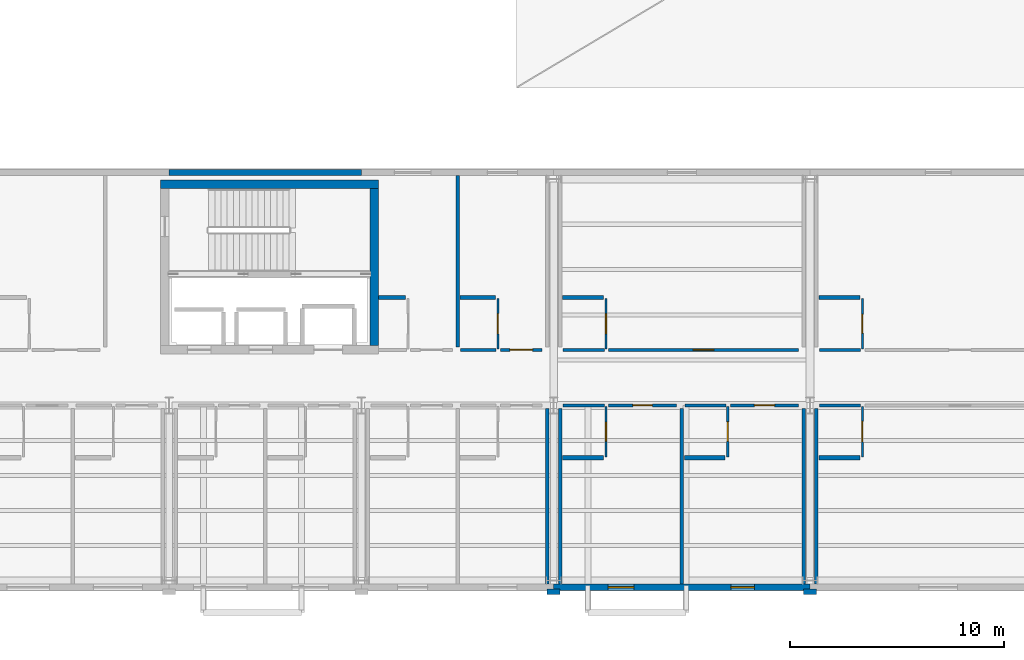
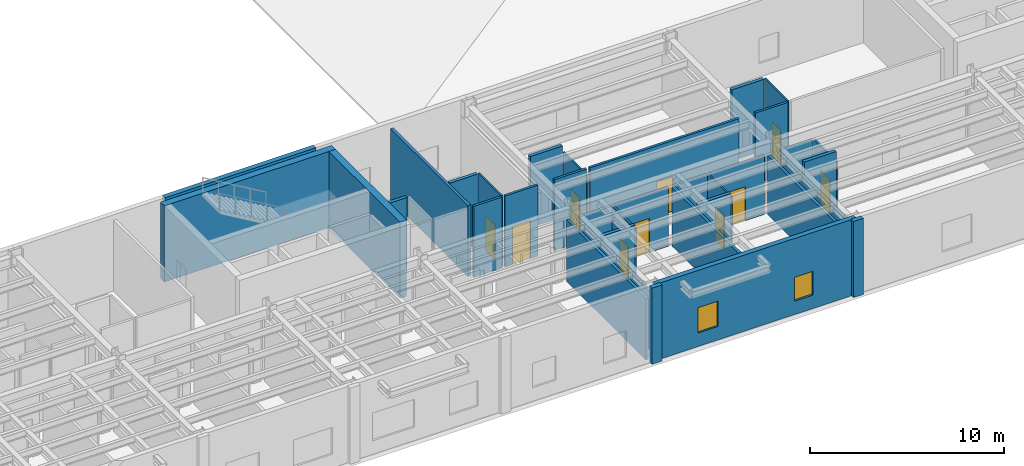
# One storey, part 72 of 91: 35 walls, 10 doors, 2 windows, 12 openings.
"""IFC4 building model written with IfcOpenShell, lengths in metres."""

from ifc_helpers import new_model, si_unit, direction, frame, frame_2d, origin, place, context, subcontext, project, spatial, rectangle, extrude, material, layer, layer_set, type_object, element, fill, save


model = new_model("IFC4")

# Units and contexts
model_context = context("Model", 3, precision=1e-05, world=origin(), true_north=direction((0.0, 1.0)))
body_context = subcontext(model_context, "Body", "Model", "MODEL_VIEW")
ifc_project = project(units=[si_unit("LENGTHUNIT", "METRE"), si_unit("AREAUNIT", "SQUARE_METRE"), si_unit("VOLUMEUNIT", "CUBIC_METRE"), si_unit("PLANEANGLEUNIT", "RADIAN"), si_unit("MASSUNIT", "GRAM", prefix="KILO")], contexts=[model_context])

# Site, building, storey
site_placement = place(None, origin())
site = spatial("IfcSite", under=ifc_project, at=site_placement, CompositionType="ELEMENT")
building_placement = place(site_placement, origin())
building = spatial("IfcBuilding", under=site, at=building_placement, Name="Sollismere Congress Hotel", CompositionType="ELEMENT")
storey_placement = place(building_placement, frame((0.0, 0.0, 10.800048828125)))
storey = spatial("IfcBuildingStorey", under=building, at=storey_placement, Name="L02", CompositionType="ELEMENT", Elevation=10.800048828125)

# Wall, openings, windows
ifc_material_1 = material(Name="Colorado Buff Sandstone Rainscreen on Insulated Backup", Category="masonry")
ifc_layer_1 = layer(ifc_material_1, 0.284912109375, Name="Colorado Buff Sandstone Rainscreen on Insulated Backup")
ifc_layer_set_1 = layer_set([ifc_layer_1], Name="Colorado Buff Sandstone Rainscreen on Insulated Backup")
wall_type_1 = type_object("IfcWallType", Name="WL-EXT285", PredefinedType="STANDARD", material=ifc_layer_set_1)
wall_1_placement = place(storey_placement, frame((112.0, -0.31005859375, 0.0), z_axis=(0.0, 0.0, 1.0), x_axis=(1.0, 0.0, 0.0)))
wall_1 = element("IfcWall", 1, at=wall_1_placement, inside=storey, type_object=wall_type_1, Name="Exterior wall EW-L02-344", PredefinedType="STANDARD", context=body_context, shape_type="SweptSolid", body=[
    extrude(rectangle(XDim=12.0, YDim=0.284912109375, at=frame_2d((6.0, 0.0))), origin(), (0.0, 0.0, 1.0), 4.800048828125),
])
opening_1_placement = place(wall_1_placement, frame((2.550048828125, 0.0, 0.85009765625)))
opening_1 = element("IfcOpeningElement", 2, at=opening_1_placement, cuts=wall_1, Name="Opening W-L02-277", PredefinedType="OPENING", context=body_context, shape_type="SweptSolid", body=[
    extrude(rectangle(XDim=1.199951171875, YDim=1.60009765625, at=frame_2d((0.60009765625, 0.800048828125))), frame((0.0, 0.15234375, 0.0), z_axis=(0.0, -1.0, 0.0), x_axis=(1.0, 0.0, 0.0)), (0.0, 0.0, 1.0), 0.304931640625),
])
opening_2_placement = place(wall_1_placement, frame((8.300048828125, 0.0, 0.85009765625)))
opening_2 = element("IfcOpeningElement", 3, at=opening_2_placement, cuts=wall_1, Name="Opening W-L02-278", PredefinedType="OPENING", context=body_context, shape_type="SweptSolid", body=[
    extrude(rectangle(XDim=1.10009765625, YDim=1.5, at=frame_2d((0.550048828125, 0.75))), frame((0.0, 0.15234375, 0.0), z_axis=(0.0, -1.0, 0.0), x_axis=(1.0, 0.0, 0.0)), (0.0, 0.0, 1.0), 0.304931640625),
])
ifc_material_2 = material(Name="Thermally Broken Bronze Aluminum & Low-E Glass", Category="aluminium")
window_type_1 = type_object("IfcWindowType", Name="WN-P110x150", PartitioningType="SINGLE_PANEL", PredefinedType="WINDOW", material=ifc_material_2)
window_1_placement = place(opening_2_placement, origin())
window_1 = element("IfcWindow", 4, at=window_1_placement, inside=storey, type_object=window_type_1, Name="WIN-W-L02-278", OverallHeight=1.5, OverallWidth=1.10009765625, PartitioningType="SINGLE_PANEL", PredefinedType="WINDOW", context=body_context, shape_type="SweptSolid", body=[
    extrude(rectangle(XDim=1.10009765625, YDim=1.5, at=frame_2d((0.550048828125, 0.75))), frame((0.0, 0.030029296875, 0.0), z_axis=(0.0, -1.0, 0.0), x_axis=(1.0, 0.0, 0.0)), (0.0, 0.0, 1.0), 0.06005859375),
])
fill(opening_2, window_1)
window_type_2 = type_object("IfcWindowType", Name="WN-P120x160", PartitioningType="SINGLE_PANEL", PredefinedType="WINDOW", material=ifc_material_2)
window_2_placement = place(opening_1_placement, origin())
window_2 = element("IfcWindow", 5, at=window_2_placement, inside=storey, type_object=window_type_2, Name="WIN-W-L02-277", OverallHeight=1.60009765625, OverallWidth=1.199951171875, PartitioningType="SINGLE_PANEL", PredefinedType="WINDOW", context=body_context, shape_type="SweptSolid", body=[
    extrude(rectangle(XDim=1.199951171875, YDim=1.60009765625, at=frame_2d((0.60009765625, 0.800048828125))), frame((0.0, 0.030029296875, 0.0), z_axis=(0.0, -1.0, 0.0), x_axis=(1.0, 0.0, 0.0)), (0.0, 0.0, 1.0), 0.06005859375),
])
fill(opening_1, window_2)

# Walls
wall_2_placement = place(storey_placement, frame((103.0, 19.110107421875, 0.0), z_axis=(0.0, 0.0, 1.0), x_axis=(-1.0, 0.0, 0.0)))
element("IfcWall", 6, at=wall_2_placement, inside=storey, type_object=wall_type_1, Name="Exterior wall EW-L02-374", PredefinedType="STANDARD", context=body_context, shape_type="SweptSolid", body=[
    extrude(rectangle(XDim=9.0, YDim=0.284912109375, at=frame_2d((4.5, 0.0))), origin(), (0.0, 0.0, 1.0), 4.800048828125),
])
ifc_material_3 = material(Name="Carved Travertine Pilaster & Frieze Assembly", Category="masonry")
ifc_layer_2 = layer(ifc_material_3, 0.260009765625, Name="Carved Travertine Pilaster & Frieze Assembly")
ifc_layer_set_2 = layer_set([ifc_layer_2], Name="Carved Travertine Pilaster & Frieze Assembly")
wall_type_2 = type_object("IfcWallType", Name="WL-PIL280", PredefinedType="ELEMENTEDWALL", material=ifc_layer_set_2)
for number, where, z_axis, x_axis, name in (
    (7, (111.699951171875, -0.52001953125, 0.0), (0.0, 0.0, 1.0), (1.0, 0.0, 0.0), "Exterior wall EW-L02-345"),
    (8, (123.699951171875, -0.52001953125, 0.0), (0.0, 0.0, 1.0), (1.0, 0.0, 0.0), "Exterior wall EW-L02-347"),
):
    element("IfcWall", number, at=place(storey_placement, frame(where, z_axis=z_axis, x_axis=x_axis)), inside=storey, type_object=wall_type_2, Name=name, PredefinedType="ELEMENTEDWALL", context=body_context, shape_type="SweptSolid", body=[
        extrude(rectangle(XDim=0.60009765625, YDim=0.260009765625, at=frame_2d((0.300048828125, 0.0))), origin(), (0.0, 0.0, 1.0), 4.800048828125),
    ])
ifc_material_4 = material(Name="Moisture-Resistant Shaft Gypsum Assembly")
ifc_layer_3 = layer(ifc_material_4, 0.199951171875, Name="Moisture-Resistant Shaft Gypsum Assembly")
ifc_layer_set_3 = layer_set([ifc_layer_3], Name="Moisture-Resistant Shaft Gypsum Assembly")
wall_type_3 = type_object("IfcWallType", Name="WL-PLM200", PredefinedType="PLUMBINGWALL", material=ifc_layer_set_3)
wall_3_placement = place(storey_placement, frame((103.81201171875, 13.25, 0.0), z_axis=(0.0, 0.0, 1.0), x_axis=(1.0, 0.0, 0.0)))
element("IfcWall", 9, at=wall_3_placement, inside=storey, type_object=wall_type_3, Name="Interior wall IW-L02-1086", PredefinedType="PLUMBINGWALL", context=body_context, shape_type="SweptSolid", body=[
    extrude(rectangle(XDim=1.258056640625, YDim=0.199951171875, at=frame_2d((0.62890625, 0.0))), origin(), (0.0, 0.0, 1.0), 4.474853515625),
])
wall_4_placement = place(storey_placement, frame((107.6201171875, 13.25, 0.0), z_axis=(0.0, 0.0, 1.0), x_axis=(1.0, 0.0, 0.0)))
element("IfcWall", 10, at=wall_4_placement, inside=storey, type_object=wall_type_3, Name="Interior wall IW-L02-1091", PredefinedType="PLUMBINGWALL", context=body_context, shape_type="SweptSolid", body=[
    extrude(rectangle(XDim=1.64990234375, YDim=0.199951171875, at=frame_2d((0.824951171875, 0.0))), origin(), (0.0, 0.0, 1.0), 4.474853515625),
])
wall_5_placement = place(storey_placement, frame((112.419921875, 5.75, 0.0), z_axis=(0.0, 0.0, 1.0), x_axis=(1.0, 0.0, 0.0)))
element("IfcWall", 11, at=wall_5_placement, inside=storey, type_object=wall_type_3, Name="Interior wall IW-L02-1097", PredefinedType="PLUMBINGWALL", context=body_context, shape_type="SweptSolid", body=[
    extrude(rectangle(XDim=1.91015625, YDim=0.199951171875, at=frame_2d((0.955078125, 0.0))), origin(), (0.0, 0.0, 1.0), 4.02783203125),
])
wall_6_placement = place(storey_placement, frame((118.1201171875, 5.75, 0.0), z_axis=(0.0, 0.0, 1.0), x_axis=(1.0, 0.0, 0.0)))
element("IfcWall", 12, at=wall_6_placement, inside=storey, type_object=wall_type_3, Name="Interior wall IW-L02-1102", PredefinedType="PLUMBINGWALL", context=body_context, shape_type="SweptSolid", body=[
    extrude(rectangle(XDim=1.909912109375, YDim=0.199951171875, at=frame_2d((0.955078125, 0.0))), origin(), (0.0, 0.0, 1.0), 4.02783203125),
])
for number, where, z_axis, x_axis, name in (
    (13, (112.419921875, 13.25, 0.0), (0.0, 0.0, 1.0), (1.0, 0.0, 0.0), "Interior wall IW-L02-1108"),
    (14, (124.419921875, 5.75, 0.0), (0.0, 0.0, 1.0), (1.0, 0.0, 0.0), "Interior wall IW-L02-1114"),
    (15, (124.419921875, 13.25, 0.0), (0.0, 0.0, 1.0), (1.0, 0.0, 0.0), "Interior wall IW-L02-1120"),
):
    element("IfcWall", number, at=place(storey_placement, frame(where, z_axis=z_axis, x_axis=x_axis)), inside=storey, type_object=wall_type_3, Name=name, PredefinedType="PLUMBINGWALL", context=body_context, shape_type="SweptSolid", body=[
        extrude(rectangle(XDim=1.91015625, YDim=0.199951171875, at=frame_2d((0.955078125, 0.0))), origin(), (0.0, 0.0, 1.0), 4.474853515625),
    ])

# Wall, opening, door
ifc_material_5 = material(Name="Moisture-Resistant Gypsum Partition")
ifc_layer_4 = layer(ifc_material_5, 0.10009765625, Name="Moisture-Resistant Gypsum Partition")
ifc_layer_set_4 = layer_set([ifc_layer_4], Name="Moisture-Resistant Gypsum Partition")
wall_type_4 = type_object("IfcWallType", Name="WL-PRT100", PredefinedType="PARTITIONING", material=ifc_layer_set_4)
wall_7_placement = place(storey_placement, frame((109.389892578125, 10.840087890625, 0.0), z_axis=(0.0, 0.0, 1.0), x_axis=(0.0, 1.0, 0.0)))
wall_7 = element("IfcWall", 16, at=wall_7_placement, inside=storey, type_object=wall_type_4, Name="Interior wall IW-L02-1090", PredefinedType="PARTITIONING", context=body_context, shape_type="SweptSolid", body=[
    extrude(rectangle(XDim=2.369873046875, YDim=0.10009765625, at=frame_2d((1.18505859375, 0.0))), origin(), (0.0, 0.0, 1.0), 4.474853515625),
])
opening_3_placement = place(wall_7_placement, frame((0.7080078125, 0.0, 0.0)))
opening_3 = element("IfcOpeningElement", 17, at=opening_3_placement, cuts=wall_7, Name="Opening D-L02-0386", PredefinedType="OPENING", context=body_context, shape_type="SweptSolid", body=[
    extrude(rectangle(XDim=0.955078125, YDim=2.219970703125, at=frame_2d((0.4775390625, 1.10986328125))), frame((0.0, 0.06005859375, 0.0), z_axis=(0.0, -1.0, 0.0), x_axis=(1.0, 0.0, 0.0)), (0.0, 0.0, 1.0), 0.1201171875),
])
ifc_material_6 = material(Name="Moisture-Sealed Timber Bathroom Door", Category="wood")
door_type_1 = type_object("IfcDoorType", Name="DR-BT08", OperationType="NOTDEFINED", PredefinedType="DOOR", material=ifc_material_6)
door_1_placement = place(opening_3_placement, origin())
door_1 = element("IfcDoor", 18, at=door_1_placement, inside=storey, type_object=door_type_1, Name="En-suite bathroom door D-L02-0386", OperationType="SINGLE_SWING_LEFT", OverallHeight=2.219970703125, OverallWidth=0.955078125, PredefinedType="DOOR", context=body_context, shape_type="SweptSolid", body=[
    extrude(rectangle(XDim=0.955078125, YDim=2.219970703125, at=frame_2d((0.4775390625, 1.10986328125))), frame((0.0, 0.02490234375, 0.0), z_axis=(0.0, -1.0, 0.0), x_axis=(1.0, 0.0, 0.0)), (0.0, 0.0, 1.0), 0.050048828125),
])
fill(opening_3, door_1)

wall_8_placement = place(storey_placement, frame((114.449951171875, 5.7900390625, 0.0), z_axis=(0.0, 0.0, 1.0), x_axis=(0.0, 1.0, 0.0)))
wall_8 = element("IfcWall", 19, at=wall_8_placement, inside=storey, type_object=wall_type_4, Name="Interior wall IW-L02-1096", PredefinedType="PARTITIONING", context=body_context, shape_type="SweptSolid", body=[
    extrude(rectangle(XDim=2.369873046875, YDim=0.10009765625, at=frame_2d((1.18505859375, 0.0))), origin(), (0.0, 0.0, 1.0), 3.712890625),
])
opening_4_placement = place(wall_8_placement, frame((0.7451171875, 0.0, 0.0)))
opening_4 = element("IfcOpeningElement", 20, at=opening_4_placement, cuts=wall_8, Name="Opening D-L02-0388", PredefinedType="OPENING", context=body_context, shape_type="SweptSolid", body=[
    extrude(rectangle(XDim=0.8798828125, YDim=2.10009765625, at=frame_2d((0.43994140625, 1.050048828125))), frame((0.0, 0.06005859375, 0.0), z_axis=(0.0, -1.0, 0.0), x_axis=(1.0, 0.0, 0.0)), (0.0, 0.0, 1.0), 0.1201171875),
])
door_type_2 = type_object("IfcDoorType", Name="DR-BT01", OperationType="NOTDEFINED", PredefinedType="DOOR", material=ifc_material_6)
door_2_placement = place(opening_4_placement, origin())
door_2 = element("IfcDoor", 21, at=door_2_placement, inside=storey, type_object=door_type_2, Name="En-suite bathroom door D-L02-0388", OperationType="SINGLE_SWING_LEFT", OverallHeight=2.10009765625, OverallWidth=0.8798828125, PredefinedType="DOOR", context=body_context, shape_type="SweptSolid", body=[
    extrude(rectangle(XDim=0.8798828125, YDim=2.10009765625, at=frame_2d((0.43994140625, 1.050048828125))), frame((0.0, 0.02490234375, 0.0), z_axis=(0.0, -1.0, 0.0), x_axis=(1.0, 0.0, 0.0)), (0.0, 0.0, 1.0), 0.050048828125),
])
fill(opening_4, door_2)

wall_9_placement = place(storey_placement, frame((120.14990234375, 5.7900390625, 0.0), z_axis=(0.0, 0.0, 1.0), x_axis=(0.0, 1.0, 0.0)))
wall_9 = element("IfcWall", 22, at=wall_9_placement, inside=storey, type_object=wall_type_4, Name="Interior wall IW-L02-1101", PredefinedType="PARTITIONING", context=body_context, shape_type="SweptSolid", body=[
    extrude(rectangle(XDim=2.369873046875, YDim=0.10009765625, at=frame_2d((1.18505859375, 0.0))), origin(), (0.0, 0.0, 1.0), 3.712890625),
])
opening_5_placement = place(wall_9_placement, frame((0.73291015625, 0.0, 0.0)))
opening_5 = element("IfcOpeningElement", 23, at=opening_5_placement, cuts=wall_9, Name="Opening D-L02-0390", PredefinedType="OPENING", context=body_context, shape_type="SweptSolid", body=[
    extrude(rectangle(XDim=0.905029296875, YDim=2.10009765625, at=frame_2d((0.45263671875, 1.050048828125))), frame((0.0, 0.06005859375, 0.0), z_axis=(0.0, -1.0, 0.0), x_axis=(1.0, 0.0, 0.0)), (0.0, 0.0, 1.0), 0.1201171875),
])
door_type_3 = type_object("IfcDoorType", Name="DR-BT02", OperationType="NOTDEFINED", PredefinedType="DOOR", material=ifc_material_6)
door_3_placement = place(opening_5_placement, origin())
door_3 = element("IfcDoor", 24, at=door_3_placement, inside=storey, type_object=door_type_3, Name="En-suite bathroom door D-L02-0390", OperationType="SINGLE_SWING_LEFT", OverallHeight=2.10009765625, OverallWidth=0.905029296875, PredefinedType="DOOR", context=body_context, shape_type="SweptSolid", body=[
    extrude(rectangle(XDim=0.905029296875, YDim=2.10009765625, at=frame_2d((0.45263671875, 1.050048828125))), frame((0.0, 0.02490234375, 0.0), z_axis=(0.0, -1.0, 0.0), x_axis=(1.0, 0.0, 0.0)), (0.0, 0.0, 1.0), 0.050048828125),
])
fill(opening_5, door_3)

wall_10_placement = place(storey_placement, frame((114.449951171875, 10.840087890625, 0.0), z_axis=(0.0, 0.0, 1.0), x_axis=(0.0, 1.0, 0.0)))
wall_10 = element("IfcWall", 25, at=wall_10_placement, inside=storey, type_object=wall_type_4, Name="Interior wall IW-L02-1107", PredefinedType="PARTITIONING", context=body_context, shape_type="SweptSolid", body=[
    extrude(rectangle(XDim=2.369873046875, YDim=0.10009765625, at=frame_2d((1.18505859375, 0.0))), origin(), (0.0, 0.0, 1.0), 4.032958984375),
])
opening_6_placement = place(wall_10_placement, frame((0.719970703125, 0.0, 0.0)))
opening_6 = element("IfcOpeningElement", 26, at=opening_6_placement, cuts=wall_10, Name="Opening D-L02-0392", PredefinedType="OPENING", context=body_context, shape_type="SweptSolid", body=[
    extrude(rectangle(XDim=0.929931640625, YDim=2.139892578125, at=frame_2d((0.46484375, 1.06982421875))), frame((0.0, 0.06005859375, 0.0), z_axis=(0.0, -1.0, 0.0), x_axis=(1.0, 0.0, 0.0)), (0.0, 0.0, 1.0), 0.1201171875),
])
door_type_4 = type_object("IfcDoorType", Name="DR-BT03", OperationType="NOTDEFINED", PredefinedType="DOOR", material=ifc_material_6)
door_4_placement = place(opening_6_placement, origin())
door_4 = element("IfcDoor", 27, at=door_4_placement, inside=storey, type_object=door_type_4, Name="En-suite bathroom door D-L02-0392", OperationType="SINGLE_SWING_LEFT", OverallHeight=2.139892578125, OverallWidth=0.929931640625, PredefinedType="DOOR", context=body_context, shape_type="SweptSolid", body=[
    extrude(rectangle(XDim=0.929931640625, YDim=2.139892578125, at=frame_2d((0.46484375, 1.06982421875))), frame((0.0, 0.02490234375, 0.0), z_axis=(0.0, -1.0, 0.0), x_axis=(1.0, 0.0, 0.0)), (0.0, 0.0, 1.0), 0.050048828125),
])
fill(opening_6, door_4)

wall_11_placement = place(storey_placement, frame((126.449951171875, 5.7900390625, 0.0), z_axis=(0.0, 0.0, 1.0), x_axis=(0.0, 1.0, 0.0)))
wall_11 = element("IfcWall", 28, at=wall_11_placement, inside=storey, type_object=wall_type_4, Name="Interior wall IW-L02-1113", PredefinedType="PARTITIONING", context=body_context, shape_type="SweptSolid", body=[
    extrude(rectangle(XDim=2.369873046875, YDim=0.10009765625, at=frame_2d((1.18505859375, 0.0))), origin(), (0.0, 0.0, 1.0), 3.712890625),
])
opening_7_placement = place(wall_11_placement, frame((0.7080078125, 0.0, 0.0)))
opening_7 = element("IfcOpeningElement", 29, at=opening_7_placement, cuts=wall_11, Name="Opening D-L02-0394", PredefinedType="OPENING", context=body_context, shape_type="SweptSolid", body=[
    extrude(rectangle(XDim=0.955078125, YDim=2.139892578125, at=frame_2d((0.4775390625, 1.06982421875))), frame((0.0, 0.06005859375, 0.0), z_axis=(0.0, -1.0, 0.0), x_axis=(1.0, 0.0, 0.0)), (0.0, 0.0, 1.0), 0.1201171875),
])
door_type_5 = type_object("IfcDoorType", Name="DR-BT04", OperationType="NOTDEFINED", PredefinedType="DOOR", material=ifc_material_6)
door_5_placement = place(opening_7_placement, origin())
door_5 = element("IfcDoor", 30, at=door_5_placement, inside=storey, type_object=door_type_5, Name="En-suite bathroom door D-L02-0394", OperationType="SINGLE_SWING_LEFT", OverallHeight=2.139892578125, OverallWidth=0.955078125, PredefinedType="DOOR", context=body_context, shape_type="SweptSolid", body=[
    extrude(rectangle(XDim=0.955078125, YDim=2.139892578125, at=frame_2d((0.4775390625, 1.06982421875))), frame((0.0, 0.02490234375, 0.0), z_axis=(0.0, -1.0, 0.0), x_axis=(1.0, 0.0, 0.0)), (0.0, 0.0, 1.0), 0.050048828125),
])
fill(opening_7, door_5)

wall_12_placement = place(storey_placement, frame((126.449951171875, 10.840087890625, 0.0), z_axis=(0.0, 0.0, 1.0), x_axis=(0.0, 1.0, 0.0)))
wall_12 = element("IfcWall", 31, at=wall_12_placement, inside=storey, type_object=wall_type_4, Name="Interior wall IW-L02-1119", PredefinedType="PARTITIONING", context=body_context, shape_type="SweptSolid", body=[
    extrude(rectangle(XDim=2.369873046875, YDim=0.10009765625, at=frame_2d((1.18505859375, 0.0))), origin(), (0.0, 0.0, 1.0), 4.474853515625),
])
opening_8_placement = place(wall_12_placement, frame((0.7451171875, 0.0, 0.0)))
opening_8 = element("IfcOpeningElement", 32, at=opening_8_placement, cuts=wall_12, Name="Opening D-L02-0396", PredefinedType="OPENING", context=body_context, shape_type="SweptSolid", body=[
    extrude(rectangle(XDim=0.8798828125, YDim=2.179931640625, at=frame_2d((0.43994140625, 1.08984375))), frame((0.0, 0.06005859375, 0.0), z_axis=(0.0, -1.0, 0.0), x_axis=(1.0, 0.0, 0.0)), (0.0, 0.0, 1.0), 0.1201171875),
])
door_type_6 = type_object("IfcDoorType", Name="DR-BT05", OperationType="NOTDEFINED", PredefinedType="DOOR", material=ifc_material_6)
door_6_placement = place(opening_8_placement, origin())
door_6 = element("IfcDoor", 33, at=door_6_placement, inside=storey, type_object=door_type_6, Name="En-suite bathroom door D-L02-0396", OperationType="SINGLE_SWING_LEFT", OverallHeight=2.179931640625, OverallWidth=0.8798828125, PredefinedType="DOOR", context=body_context, shape_type="SweptSolid", body=[
    extrude(rectangle(XDim=0.8798828125, YDim=2.179931640625, at=frame_2d((0.43994140625, 1.08984375))), frame((0.0, 0.02490234375, 0.0), z_axis=(0.0, -1.0, 0.0), x_axis=(1.0, 0.0, 0.0)), (0.0, 0.0, 1.0), 0.050048828125),
])
fill(opening_8, door_6)

# Wall
ifc_material_7 = material(Name="Fire-Rated Gypsum Partition")
ifc_layer_5 = layer(ifc_material_7, 0.139892578125, Name="Fire-Rated Gypsum Partition")
ifc_layer_set_5 = layer_set([ifc_layer_5], Name="Fire-Rated Gypsum Partition")
wall_type_5 = type_object("IfcWallType", Name="WL-PRT140R", PredefinedType="PARTITIONING", material=ifc_layer_set_5)
wall_13_placement = place(storey_placement, frame((107.639892578125, 10.800048828125, 0.0), z_axis=(0.0, 0.0, 1.0), x_axis=(1.0, 0.0, 0.0)))
element("IfcWall", 34, at=wall_13_placement, inside=storey, type_object=wall_type_5, Name="Interior wall IW-L02-1087", PredefinedType="PARTITIONING", context=body_context, shape_type="SweptSolid", body=[
    extrude(rectangle(XDim=1.670166015625, YDim=0.139892578125, at=frame_2d((0.8349609375, 0.0))), origin(), (0.0, 0.0, 1.0), 4.474853515625),
])

# Wall, opening, door
wall_14_placement = place(storey_placement, frame((109.510009765625, 10.800048828125, 0.0), z_axis=(0.0, 0.0, 1.0), x_axis=(1.0, 0.0, 0.0)))
wall_14 = element("IfcWall", 35, at=wall_14_placement, inside=storey, type_object=wall_type_5, Name="Interior wall IW-L02-1088", PredefinedType="PARTITIONING", context=body_context, shape_type="SweptSolid", body=[
    extrude(rectangle(XDim=1.949951171875, YDim=0.139892578125, at=frame_2d((0.97509765625, 0.0))), origin(), (0.0, 0.0, 1.0), 4.474853515625),
])
opening_9_placement = place(wall_14_placement, frame((0.43994140625, 0.0, 0.0)))
opening_9 = element("IfcOpeningElement", 36, at=opening_9_placement, cuts=wall_14, Name="Opening D-L02-0385", PredefinedType="OPENING", context=body_context, shape_type="SweptSolid", body=[
    extrude(rectangle(XDim=1.070068359375, YDim=2.39990234375, at=frame_2d((0.53515625, 1.199951171875))), frame((0.0, 0.079833984375, 0.0), z_axis=(0.0, -1.0, 0.0), x_axis=(1.0, 0.0, 0.0)), (0.0, 0.0, 1.0), 0.159912109375),
])
ifc_material_8 = material(Name="Solid-Core Acoustic Walnut Guestroom Entry Door")
door_type_7 = type_object("IfcDoorType", Name="DR-KY12", OperationType="NOTDEFINED", PredefinedType="DOOR", material=ifc_material_8)
door_7_placement = place(opening_9_placement, origin())
door_7 = element("IfcDoor", 37, at=door_7_placement, inside=storey, type_object=door_type_7, Name="Hotel room entry door D-L02-0385", OperationType="SINGLE_SWING_RIGHT", OverallHeight=2.39990234375, OverallWidth=1.070068359375, PredefinedType="DOOR", context=body_context, shape_type="SweptSolid", body=[
    extrude(rectangle(XDim=1.070068359375, YDim=2.39990234375, at=frame_2d((0.53515625, 1.199951171875))), frame((0.0, 0.02490234375, 0.0), z_axis=(0.0, -1.0, 0.0), x_axis=(1.0, 0.0, 0.0)), (0.0, 0.0, 1.0), 0.050048828125),
])
fill(opening_9, door_7)

# Wall
wall_15_placement = place(storey_placement, frame((112.43994140625, 8.199951171875, 0.0), z_axis=(0.0, 0.0, 1.0), x_axis=(1.0, 0.0, 0.0)))
element("IfcWall", 38, at=wall_15_placement, inside=storey, type_object=wall_type_5, Name="Interior wall IW-L02-1092", PredefinedType="PARTITIONING", context=body_context, shape_type="SweptSolid", body=[
    extrude(rectangle(XDim=1.93017578125, YDim=0.139892578125, at=frame_2d((0.965087890625, 0.0))), origin(), (0.0, 0.0, 1.0), 3.712890625),
])

# Wall, opening, door
wall_16_placement = place(storey_placement, frame((114.570068359375, 8.199951171875, 0.0), z_axis=(0.0, 0.0, 1.0), x_axis=(1.0, 0.0, 0.0)))
wall_16 = element("IfcWall", 39, at=wall_16_placement, inside=storey, type_object=wall_type_5, Name="Interior wall IW-L02-1093", PredefinedType="PARTITIONING", context=body_context, shape_type="SweptSolid", body=[
    extrude(rectangle(XDim=3.18994140625, YDim=0.139892578125, at=frame_2d((1.594970703125, 0.0))), origin(), (0.0, 0.0, 1.0), 3.712890625),
])
opening_10_placement = place(wall_16_placement, frame((1.135009765625, 0.0, 0.0)))
opening_10 = element("IfcOpeningElement", 40, at=opening_10_placement, cuts=wall_16, Name="Opening D-L02-0387", PredefinedType="OPENING", context=body_context, shape_type="SweptSolid", body=[
    extrude(rectangle(XDim=0.919921875, YDim=2.14990234375, at=frame_2d((0.4599609375, 1.074951171875))), frame((0.0, 0.079833984375, 0.0), z_axis=(0.0, -1.0, 0.0), x_axis=(1.0, 0.0, 0.0)), (0.0, 0.0, 1.0), 0.159912109375),
])
door_type_8 = type_object("IfcDoorType", Name="DR-KY01", OperationType="NOTDEFINED", PredefinedType="DOOR", material=ifc_material_8)
door_8_placement = place(opening_10_placement, origin())
door_8 = element("IfcDoor", 41, at=door_8_placement, inside=storey, type_object=door_type_8, Name="Hotel room entry door D-L02-0387", OperationType="SINGLE_SWING_RIGHT", OverallHeight=2.14990234375, OverallWidth=0.919921875, PredefinedType="DOOR", context=body_context, shape_type="SweptSolid", body=[
    extrude(rectangle(XDim=0.919921875, YDim=2.14990234375, at=frame_2d((0.4599609375, 1.074951171875))), frame((0.0, 0.02490234375, 0.0), z_axis=(0.0, -1.0, 0.0), x_axis=(1.0, 0.0, 0.0)), (0.0, 0.0, 1.0), 0.050048828125),
])
fill(opening_10, door_8)

# Wall
wall_17_placement = place(storey_placement, frame((118.139892578125, 8.199951171875, 0.0), z_axis=(0.0, 0.0, 1.0), x_axis=(1.0, 0.0, 0.0)))
element("IfcWall", 42, at=wall_17_placement, inside=storey, type_object=wall_type_5, Name="Interior wall IW-L02-1098", PredefinedType="PARTITIONING", context=body_context, shape_type="SweptSolid", body=[
    extrude(rectangle(XDim=1.93017578125, YDim=0.139892578125, at=frame_2d((0.965087890625, 0.0))), origin(), (0.0, 0.0, 1.0), 3.712890625),
])

# Wall, opening, door
wall_18_placement = place(storey_placement, frame((120.27001953125, 8.199951171875, 0.0), z_axis=(0.0, 0.0, 1.0), x_axis=(1.0, 0.0, 0.0)))
wall_18 = element("IfcWall", 43, at=wall_18_placement, inside=storey, type_object=wall_type_5, Name="Interior wall IW-L02-1099", PredefinedType="PARTITIONING", context=body_context, shape_type="SweptSolid", body=[
    extrude(rectangle(XDim=3.18994140625, YDim=0.139892578125, at=frame_2d((1.594970703125, 0.0))), origin(), (0.0, 0.0, 1.0), 3.712890625),
])
opening_11_placement = place(wall_18_placement, frame((1.1201171875, 0.0, 0.0)))
opening_11 = element("IfcOpeningElement", 44, at=opening_11_placement, cuts=wall_18, Name="Opening D-L02-0389", PredefinedType="OPENING", context=body_context, shape_type="SweptSolid", body=[
    extrude(rectangle(XDim=0.949951171875, YDim=2.14990234375, at=frame_2d((0.47509765625, 1.074951171875))), frame((0.0, 0.079833984375, 0.0), z_axis=(0.0, -1.0, 0.0), x_axis=(1.0, 0.0, 0.0)), (0.0, 0.0, 1.0), 0.159912109375),
])
door_type_9 = type_object("IfcDoorType", Name="DR-KY02", OperationType="NOTDEFINED", PredefinedType="DOOR", material=ifc_material_8)
door_9_placement = place(opening_11_placement, origin())
door_9 = element("IfcDoor", 45, at=door_9_placement, inside=storey, type_object=door_type_9, Name="Hotel room entry door D-L02-0389", OperationType="SINGLE_SWING_RIGHT", OverallHeight=2.14990234375, OverallWidth=0.949951171875, PredefinedType="DOOR", context=body_context, shape_type="SweptSolid", body=[
    extrude(rectangle(XDim=0.949951171875, YDim=2.14990234375, at=frame_2d((0.47509765625, 1.074951171875))), frame((0.0, 0.02490234375, 0.0), z_axis=(0.0, -1.0, 0.0), x_axis=(1.0, 0.0, 0.0)), (0.0, 0.0, 1.0), 0.050048828125),
])
fill(opening_11, door_9)

# Wall
wall_19_placement = place(storey_placement, frame((112.43994140625, 10.800048828125, 0.0), z_axis=(0.0, 0.0, 1.0), x_axis=(1.0, 0.0, 0.0)))
element("IfcWall", 46, at=wall_19_placement, inside=storey, type_object=wall_type_5, Name="Interior wall IW-L02-1103", PredefinedType="PARTITIONING", context=body_context, shape_type="SweptSolid", body=[
    extrude(rectangle(XDim=1.93017578125, YDim=0.139892578125, at=frame_2d((0.965087890625, 0.0))), origin(), (0.0, 0.0, 1.0), 4.474853515625),
])

# Wall, opening, door
wall_20_placement = place(storey_placement, frame((114.570068359375, 10.800048828125, 0.0), z_axis=(0.0, 0.0, 1.0), x_axis=(1.0, 0.0, 0.0)))
wall_20 = element("IfcWall", 47, at=wall_20_placement, inside=storey, type_object=wall_type_5, Name="Interior wall IW-L02-1104", PredefinedType="PARTITIONING", context=body_context, shape_type="SweptSolid", body=[
    extrude(rectangle(XDim=8.889892578125, YDim=0.139892578125, at=frame_2d((4.44482421875, 0.0))), origin(), (0.0, 0.0, 1.0), 4.474853515625),
])
opening_12_placement = place(wall_20_placement, frame((3.955078125, 0.0, 0.0)))
opening_12 = element("IfcOpeningElement", 48, at=opening_12_placement, cuts=wall_20, Name="Opening D-L02-0391", PredefinedType="OPENING", context=body_context, shape_type="SweptSolid", body=[
    extrude(rectangle(XDim=0.97998046875, YDim=2.199951171875, at=frame_2d((0.489990234375, 1.10009765625))), frame((0.0, 0.079833984375, 0.0), z_axis=(0.0, -1.0, 0.0), x_axis=(1.0, 0.0, 0.0)), (0.0, 0.0, 1.0), 0.159912109375),
])
door_type_10 = type_object("IfcDoorType", Name="DR-KY03", OperationType="NOTDEFINED", PredefinedType="DOOR", material=ifc_material_8)
door_10_placement = place(opening_12_placement, origin())
door_10 = element("IfcDoor", 49, at=door_10_placement, inside=storey, type_object=door_type_10, Name="Hotel room entry door D-L02-0391", OperationType="SINGLE_SWING_RIGHT", OverallHeight=2.199951171875, OverallWidth=0.97998046875, PredefinedType="DOOR", context=body_context, shape_type="SweptSolid", body=[
    extrude(rectangle(XDim=0.97998046875, YDim=2.199951171875, at=frame_2d((0.489990234375, 1.10009765625))), frame((0.0, 0.02490234375, 0.0), z_axis=(0.0, -1.0, 0.0), x_axis=(1.0, 0.0, 0.0)), (0.0, 0.0, 1.0), 0.050048828125),
])
fill(opening_12, door_10)

# Walls
wall_21_placement = place(storey_placement, frame((124.43994140625, 8.199951171875, 0.0), z_axis=(0.0, 0.0, 1.0), x_axis=(1.0, 0.0, 0.0)))
element("IfcWall", 50, at=wall_21_placement, inside=storey, type_object=wall_type_5, Name="Interior wall IW-L02-1109", PredefinedType="PARTITIONING", context=body_context, shape_type="SweptSolid", body=[
    extrude(rectangle(XDim=1.93017578125, YDim=0.139892578125, at=frame_2d((0.965087890625, 0.0))), origin(), (0.0, 0.0, 1.0), 3.712890625),
])
wall_22_placement = place(storey_placement, frame((124.43994140625, 10.800048828125, 0.0), z_axis=(0.0, 0.0, 1.0), x_axis=(1.0, 0.0, 0.0)))
element("IfcWall", 51, at=wall_22_placement, inside=storey, type_object=wall_type_5, Name="Interior wall IW-L02-1115", PredefinedType="PARTITIONING", context=body_context, shape_type="SweptSolid", body=[
    extrude(rectangle(XDim=1.93017578125, YDim=0.139892578125, at=frame_2d((0.965087890625, 0.0))), origin(), (0.0, 0.0, 1.0), 4.474853515625),
])
ifc_material_9 = material(Name="Fire-Rated Acoustic Gypsum Partition")
ifc_layer_6 = layer(ifc_material_9, 0.1650390625, Name="Fire-Rated Acoustic Gypsum Partition")
ifc_layer_set_6 = layer_set([ifc_layer_6], Name="Fire-Rated Acoustic Gypsum Partition")
wall_type_6 = type_object("IfcWallType", Name="WL-PRT165R", PredefinedType="PARTITIONING", material=ifc_layer_set_6)
wall_23_placement = place(storey_placement, frame((111.699951171875, -0.152587890625, 0.0), z_axis=(0.0, 0.0, 1.0), x_axis=(0.0, 1.0, 0.0)))
element("IfcWall", 52, at=wall_23_placement, inside=storey, type_object=wall_type_6, Name="Interior wall IW-L02-1079", PredefinedType="PARTITIONING", context=body_context, shape_type="SweptSolid", body=[
    extrude(rectangle(XDim=8.212646484375, YDim=0.1650390625, at=frame_2d((4.1064453125, 0.0))), origin(), (0.0, 0.0, 1.0), 3.864990234375),
])
wall_24_placement = place(storey_placement, frame((107.5, 10.93994140625, 0.0), z_axis=(0.0, 0.0, 1.0), x_axis=(0.0, 1.0, 0.0)))
element("IfcWall", 53, at=wall_24_placement, inside=storey, type_object=wall_type_6, Name="Interior wall IW-L02-1084", PredefinedType="PARTITIONING", context=body_context, shape_type="SweptSolid", body=[
    extrude(rectangle(XDim=8.012451171875, YDim=0.1650390625, at=frame_2d((4.00634765625, 0.0))), origin(), (0.0, 0.0, 1.0), 4.474853515625),
])
for number, where, z_axis, x_axis, name in (
    (54, (112.300048828125, -0.152587890625, 0.0), (0.0, 0.0, 1.0), (0.0, 1.0, 0.0), "Interior wall IW-L02-1094"),
    (55, (118.0, -0.152587890625, 0.0), (0.0, 0.0, 1.0), (0.0, 1.0, 0.0), "Interior wall IW-L02-1095"),
    (56, (123.699951171875, -0.152587890625, 0.0), (0.0, 0.0, 1.0), (0.0, 1.0, 0.0), "Interior wall IW-L02-1100"),
    (57, (124.300048828125, -0.152587890625, 0.0), (0.0, 0.0, 1.0), (0.0, 1.0, 0.0), "Interior wall IW-L02-1111"),
):
    element("IfcWall", number, at=place(storey_placement, frame(where, z_axis=z_axis, x_axis=x_axis)), inside=storey, type_object=wall_type_6, Name=name, PredefinedType="PARTITIONING", context=body_context, shape_type="SweptSolid", body=[
        extrude(rectangle(XDim=8.212646484375, YDim=0.1650390625, at=frame_2d((4.1064453125, 0.0))), origin(), (0.0, 0.0, 1.0), 3.712890625),
    ])
ifc_material_10 = material(Name="Concrete C50/60", Category="concrete")
ifc_layer_7 = layer(ifc_material_10, 0.39990234375, Name="Concrete C50/60")
ifc_layer_set_7 = layer_set([ifc_layer_7], Name="Concrete C50/60")
wall_type_7 = type_object("IfcWallType", Name="WL-SHR400", PredefinedType="SHEAR", material=ifc_layer_set_7)
wall_25_placement = place(storey_placement, frame((103.800048828125, 18.550048828125, 0.0), z_axis=(0.0, 0.0, 1.0), x_axis=(-1.0, 0.0, 0.0)))
element("IfcWall", 58, at=wall_25_placement, inside=storey, type_object=wall_type_7, Name="Interior wall IW-L02-0249", PredefinedType="SHEAR", context=body_context, shape_type="SweptSolid", body=[
    extrude(rectangle(XDim=10.199951171875, YDim=0.39990234375, at=frame_2d((5.10009765625, 0.0))), origin(), (0.0, 0.0, 1.0), 4.800048828125),
])
wall_26_placement = place(storey_placement, frame((103.60009765625, 11.0, 0.0), z_axis=(0.0, 0.0, 1.0), x_axis=(0.0, 1.0, 0.0)))
element("IfcWall", 59, at=wall_26_placement, inside=storey, type_object=wall_type_7, Name="Interior wall IW-L02-0251", PredefinedType="SHEAR", context=body_context, shape_type="SweptSolid", body=[
    extrude(rectangle(XDim=7.35009765625, YDim=0.39990234375, at=frame_2d((3.675048828125, 0.0))), origin(), (0.0, 0.0, 1.0), 4.800048828125),
])

save(model, "model.ifc")
